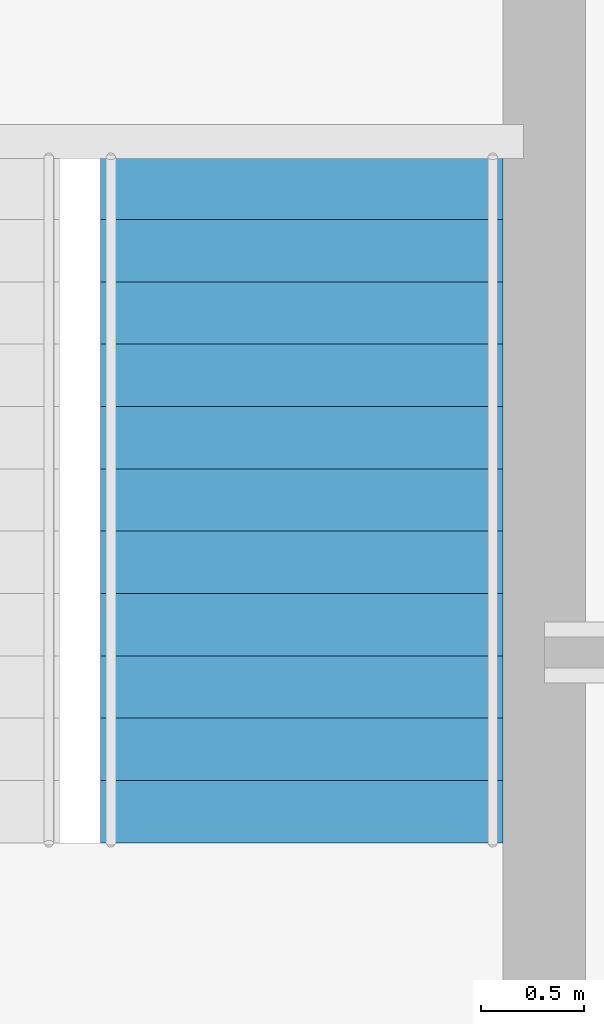
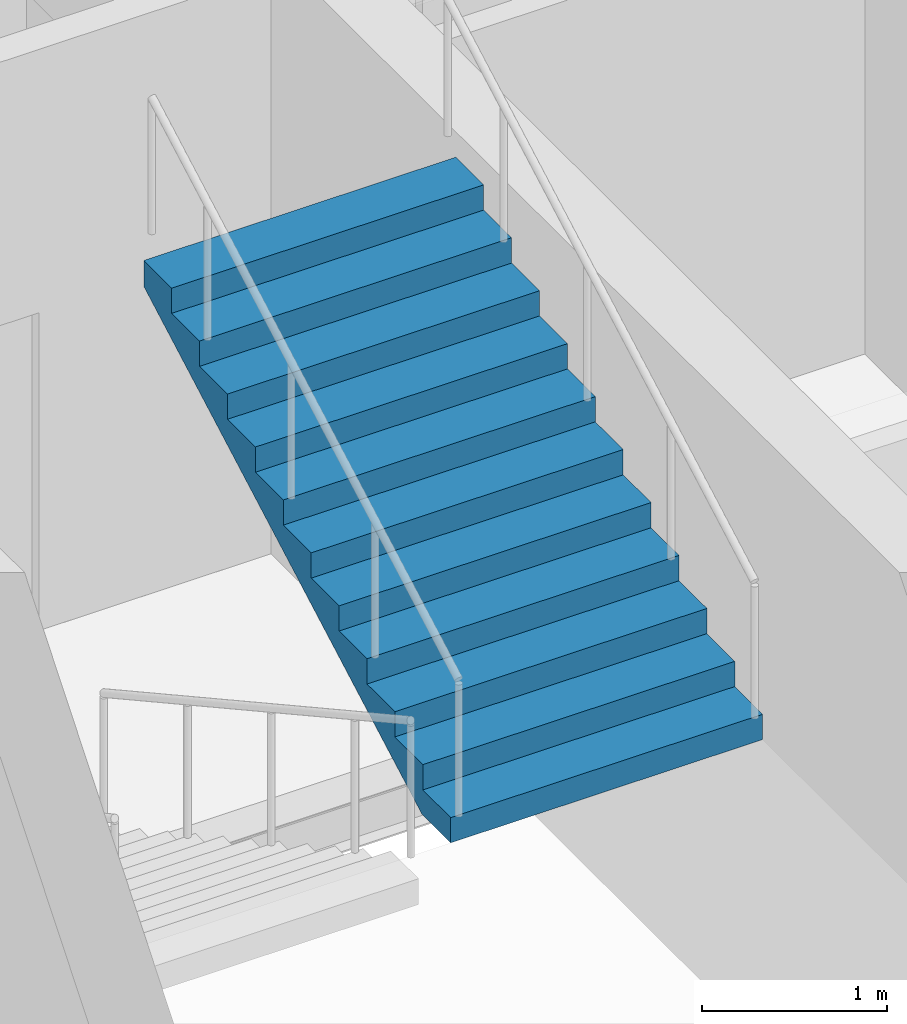
# One storey, part 12 of 14: 1 stair flight, 1 element without a shape of its own.
"""IFC4 building model written with IfcOpenShell, lengths in metres."""

import ifcopenshell
import ifcopenshell.guid

model = None  # the IFC model being written
_history = None  # IfcOwnerHistory: only IFC2X3 demands one
_inside = {}  # id of a spatial element -> (the spatial element, [elements in it])
_under = {}  # id of a project, library or spatial element -> (it, [spatial elements below it])
_declared = {}  # id of a project -> (the project, [libraries it declares])
_typed = {}  # id of a type object -> (the type object, [elements of that type])
_made_of = {}  # id of a material, layer set ... -> (it, [elements and type objects made of it])


def new_model(schema):
    """Start an empty IFC model of exactly this schema.

    Asked for "IFC4X3", IfcOpenShell would pick the latest addendum, in which some entities
    have other attributes; the version numbers below select the first issue.
    IFC2X3 requires an IfcOwnerHistory on every rooted entity: one is made here for all.
    """
    global model, _history
    if schema == "IFC4X3":
        model = ifcopenshell.file(schema_version=(4, 3, 0, 0))
    else:
        model = ifcopenshell.file(schema=schema)
    _inside.clear()
    _under.clear()
    _declared.clear()
    _typed.clear()
    _made_of.clear()
    _history = None
    if model.schema == "IFC2X3":
        org = make("IfcOrganization", Name="unknown")
        user = make(
            "IfcPersonAndOrganization",
            ThePerson=make("IfcPerson", FamilyName="unknown"),
            TheOrganization=org,
        )
        app = make(
            "IfcApplication",
            ApplicationDeveloper=org,
            Version="unknown",
            ApplicationFullName="unknown",
            ApplicationIdentifier="unknown",
        )
        _history = make(
            "IfcOwnerHistory",
            OwningUser=user,
            OwningApplication=app,
            ChangeAction="ADDED",
            CreationDate=0,
        )
    return model


def make(cls, **values):
    """One entity of the class cls with the attributes given. An attribute that is None is left unset."""
    return model.create_entity(
        cls, **{name: value for name, value in values.items() if value is not None}
    )


def rooted(cls, **values):
    """An entity with a GlobalId (a new one), such as an element, a storey or a relation."""
    return make(cls, GlobalId=ifcopenshell.guid.new(), OwnerHistory=_history, **values)


def si_unit(unit_type, name, prefix=None):
    """IfcSIUnit, for example si_unit("LENGTHUNIT", "METRE", prefix="MILLI")."""
    return make("IfcSIUnit", UnitType=unit_type, Prefix=prefix, Name=name)


def assignment(units):
    """IfcUnitAssignment: the units of a project."""
    return None if units is None else make("IfcUnitAssignment", Units=units)


def point(xyz):
    """IfcCartesianPoint."""
    return None if xyz is None else make("IfcCartesianPoint", Coordinates=xyz)


def direction(xyz):
    """IfcDirection."""
    return None if xyz is None else make("IfcDirection", DirectionRatios=xyz)


def frame(location, z_axis=None, x_axis=None):
    """IfcAxis2Placement3D, a coordinate frame: its origin and axes. An axis left out is left unset."""
    return make(
        "IfcAxis2Placement3D",
        Location=point(location),
        Axis=direction(z_axis),
        RefDirection=direction(x_axis),
    )


def origin():
    """The frame at (0, 0, 0) with its axes left unset."""
    return frame((0.0, 0.0, 0.0))


def place(relative_to, where):
    """IfcLocalPlacement: puts the frame where relative to a parent placement (None: the world)."""
    return make(
        "IfcLocalPlacement", PlacementRelTo=relative_to, RelativePlacement=where
    )


def context(
    kind, dimensions, precision=None, world=None, true_north=None, identifier=None
):
    """IfcGeometricRepresentationContext, for example the 3D "Model" context."""
    return make(
        "IfcGeometricRepresentationContext",
        ContextIdentifier=identifier,
        ContextType=kind,
        CoordinateSpaceDimension=dimensions,
        Precision=precision,
        WorldCoordinateSystem=world,
        TrueNorth=true_north,
    )


def subcontext(parent, identifier, kind, view, scale=None):
    """IfcGeometricRepresentationSubContext, for example "Body" below "Model"."""
    return make(
        "IfcGeometricRepresentationSubContext",
        ContextIdentifier=identifier,
        ContextType=kind,
        ParentContext=parent,
        TargetScale=scale,
        TargetView=view,
    )


def project(units=None, contexts=None):
    """IfcProject with its units and contexts."""
    return rooted(
        "IfcProject",
        Name="project",
        RepresentationContexts=contexts,
        UnitsInContext=assignment(units),
    )


def spatial(cls, under=None, at=None, **own):
    """A site, building, storey or space (cls), placed at a placement, below another one or the project."""
    s = rooted(cls, ObjectPlacement=at, **own)
    if under is not None:
        _under.setdefault(under.id(), (under, []))[1].append(s)
    return s


def polyline(points):
    """IfcPolyline through the points."""
    return make("IfcPolyline", Points=[point(p) for p in points])


def outline(outer, holes=None, kind="AREA"):
    """IfcArbitraryClosedProfileDef: a profile drawn as a closed curve; with holes, ...WithVoids."""
    if holes is None:
        return make("IfcArbitraryClosedProfileDef", ProfileType=kind, OuterCurve=outer)
    return make(
        "IfcArbitraryProfileDefWithVoids",
        ProfileType=kind,
        OuterCurve=outer,
        InnerCurves=holes,
    )


def extrude(swept, where, along, depth):
    """IfcExtrudedAreaSolid: the profile swept, set in the frame where, extruded along a direction by depth."""
    return make(
        "IfcExtrudedAreaSolid",
        SweptArea=swept,
        Position=where,
        ExtrudedDirection=direction(along),
        Depth=depth,
    )


def shape(context_of_items, identifier, shape_type, items):
    """IfcShapeRepresentation: the items that make up one representation, for example the "Body"."""
    return make(
        "IfcShapeRepresentation",
        ContextOfItems=context_of_items,
        RepresentationIdentifier=identifier,
        RepresentationType=shape_type,
        Items=items,
    )


def material(Name=None, Category=None):
    """IfcMaterial."""
    return make("IfcMaterial", Name=Name, Category=Category)


def made_of(thing, what):
    """Note that an element or type object is made of a material, layer set ...; save() writes the relation."""
    if what is not None:
        _made_of.setdefault(what.id(), (what, []))[1].append(thing)
    return thing


def type_object(cls, material=None, **own):
    """A type object (cls), such as IfcWallType, which elements share."""
    return made_of(rooted(cls, **own), material)


def element(
    cls,
    number,
    at=None,
    inside=None,
    cuts=None,
    type_object=None,
    material=None,
    context=None,
    identifier="Body",
    shape_type=None,
    held_by="IfcProductDefinitionShape",
    body=None,
    shapes=None,
    **own,
):
    """One element of the class cls, such as IfcWall. Its Tag is "e" and its number.

    at: its placement. inside: the storey or other place that contains it. cuts: it is an
    opening in that element (IfcRelVoidsElement). A single representation is given by context,
    identifier, shape_type and body (its items); several are given by shapes. held_by: the class
    of the entity that holds the representations. save() writes the other relations.
    """
    e = rooted(cls, Tag="e%d" % number, ObjectPlacement=at, **own)
    if body is not None:
        shapes = [shape(context, identifier, shape_type, body)]
    if shapes is not None:
        e.Representation = make(held_by, Representations=shapes)
    if inside is not None:
        _inside.setdefault(inside.id(), (inside, []))[1].append(e)
    if cuts is not None:
        rooted(
            "IfcRelVoidsElement", RelatingBuildingElement=cuts, RelatedOpeningElement=e
        )
    if type_object is not None:
        _typed.setdefault(type_object.id(), (type_object, []))[1].append(e)
    return made_of(e, material)


def aggregate(whole, parts):
    """IfcRelAggregates: a whole, such as a stair, and the parts it consists of."""
    return rooted("IfcRelAggregates", RelatingObject=whole, RelatedObjects=parts)


def save(model, path):
    """Write the relations noted so far, then the file.

    IfcRelAggregates (storeys below a building ...), IfcRelContainedInSpatialStructure (elements
    in a storey), IfcRelDefinesByType, IfcRelAssociatesMaterial and IfcRelDeclares: one each for
    every whole, place, type object, material and project.
    """
    for whole, parts in _under.values():
        aggregate(whole, parts)
    for where, things in _inside.values():
        rooted(
            "IfcRelContainedInSpatialStructure",
            RelatedElements=things,
            RelatingStructure=where,
        )
    for kind, things in _typed.values():
        rooted("IfcRelDefinesByType", RelatedObjects=things, RelatingType=kind)
    for what, things in _made_of.values():
        rooted("IfcRelAssociatesMaterial", RelatedObjects=things, RelatingMaterial=what)
    for by, libraries in _declared.values():
        rooted("IfcRelDeclares", RelatingContext=by, RelatedDefinitions=libraries)
    model.write(path)


model = new_model("IFC4")

# Units and contexts
model_context = context("Model", 3, precision=1e-05, world=origin(), true_north=direction((0.0, 1.0)))
body_context = subcontext(model_context, "Body", "Model", "MODEL_VIEW")
ifc_project = project(units=[si_unit("LENGTHUNIT", "METRE"), si_unit("AREAUNIT", "SQUARE_METRE"), si_unit("VOLUMEUNIT", "CUBIC_METRE"), si_unit("PLANEANGLEUNIT", "RADIAN"), si_unit("MASSUNIT", "GRAM", prefix="KILO")], contexts=[model_context])

# Site, building, storey
site_placement = place(None, origin())
site = spatial("IfcSite", under=ifc_project, at=site_placement, CompositionType="ELEMENT")
building_placement = place(site_placement, origin())
building = spatial("IfcBuilding", under=site, at=building_placement, Name="Corais Broadcast Tower", CompositionType="ELEMENT")
storey_placement = place(building_placement, frame((0.0, 0.0, 290.60009765625)))
storey = spatial("IfcBuildingStorey", under=building, at=storey_placement, Name="L68", CompositionType="ELEMENT", Elevation=290.60009765625)

# Stair, stair flight
ifc_material_1 = material(Name="Concrete C30/37", Category="concrete")
stair_type = type_object("IfcStairType", Name="Half-turn stair 4000", PredefinedType="HALF_TURN_STAIR", material=ifc_material_1)
stair_placement = place(storey_placement, origin())
stair = element("IfcStair", 1, at=stair_placement, inside=storey, type_object=stair_type, Name="Stair B L68", PredefinedType="HALF_TURN_STAIR")
ifc_material_2 = material(Name="Concrete C30/37", Category="concrete")
stair_flight_type = type_object("IfcStairFlightType", Name="Stair flight 4000", PredefinedType="STRAIGHT", material=ifc_material_2)
stair_flight_placement = place(storey_placement, frame((39.324951171875, 26.077880859375, 2.0), z_axis=(0.0, 0.0, 1.0), x_axis=(0.0, 1.0, 0.0)))
stair_flight = element("IfcStairFlight", 2, at=stair_flight_placement, type_object=stair_flight_type, Name="STB flight 2", NumberOfRisers=12, NumberOfTreads=11, PredefinedType="STRAIGHT", RiserHeight=0.166666667, TreadLength=0.302, context=body_context, shape_type="SweptSolid", body=[
    extrude(outline(polyline([(0.0, 0.0), (0.0, 0.166748046875), (0.302001953125, 0.166748046875), (0.302001953125, 0.333251953125), (0.60400390625, 0.333251953125), (0.60400390625, 0.5), (0.906005859375, 0.5), (0.906005859375, 0.666748046875), (1.2080078125, 0.666748046875), (1.2080078125, 0.833251953125), (1.510009765625, 0.833251953125), (1.510009765625, 1.0), (1.81201171875, 1.0), (1.81201171875, 1.166748046875), (2.114013671875, 1.166748046875), (2.114013671875, 1.333251953125), (2.416015625, 1.333251953125), (2.416015625, 1.5), (2.718017578125, 1.5), (2.718017578125, 1.666748046875), (3.02001953125, 1.666748046875), (3.02001953125, 1.833251953125), (3.322021484375, 1.833251953125), (3.322021484375, 2.0), (3.322021484375, 1.662109375), (0.310302734375, 0.0), (0.0, 0.0)])), frame((0.0, 0.97509765625, 0.0), z_axis=(0.0, -1.0, 0.0), x_axis=(1.0, 0.0, 0.0)), (0.0, 0.0, 1.0), 1.949951171875),
])
aggregate(stair, [stair_flight])

save(model, "model.ifc")
